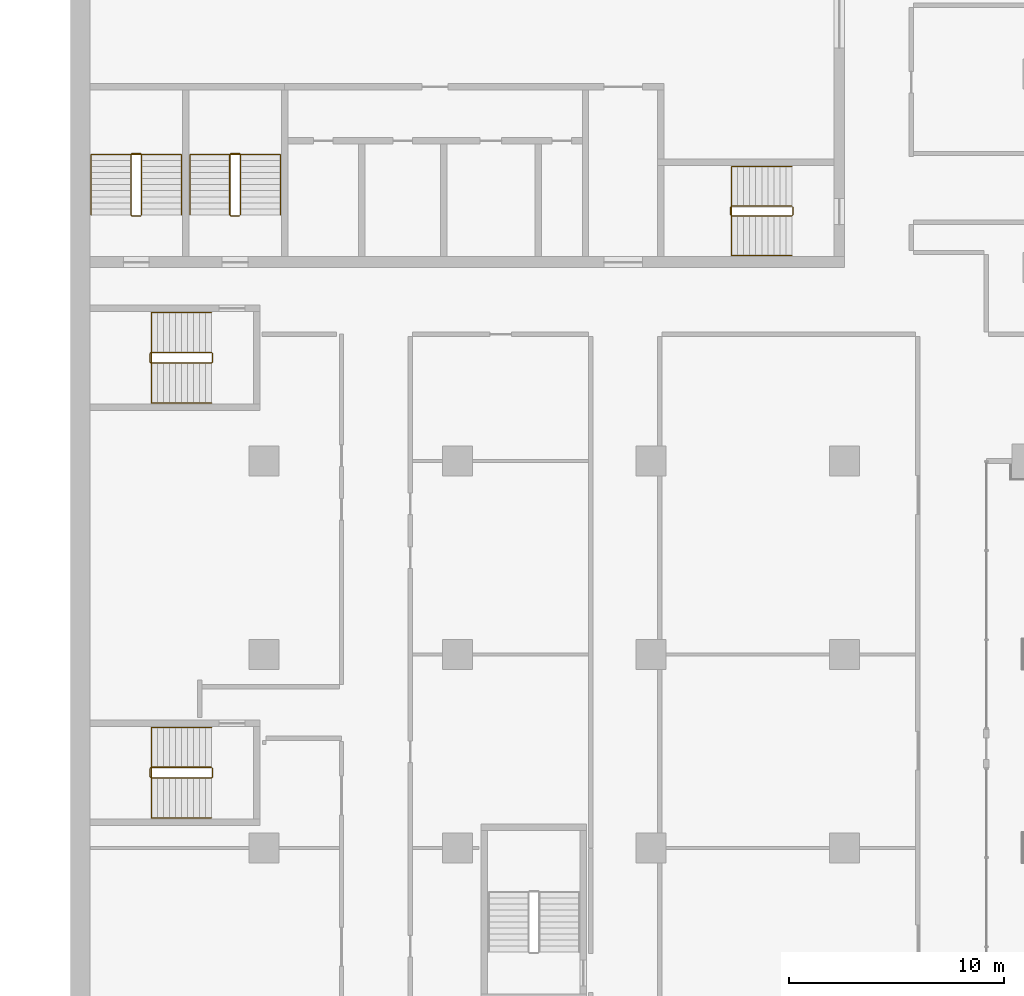
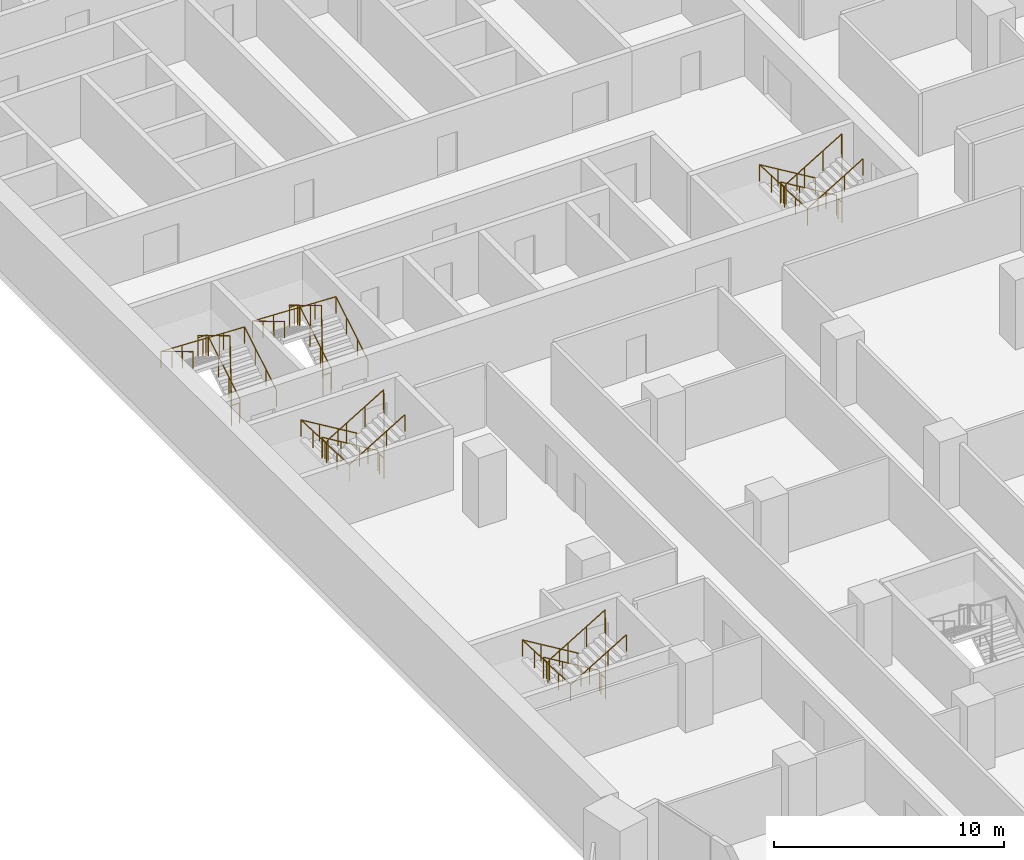
# One storey, part 25 of 28: 10 railings.
"""IFC4 building model written with IfcOpenShell, lengths in metres."""

from ifc_helpers import new_model, si_unit, direction, frame, origin, origin_2d, place, context, subcontext, project, spatial, circle, extrude, material, type_object, element, save


model = new_model("IFC4")

# Units and contexts
model_context = context("Model", 3, precision=1e-05, world=origin(), true_north=direction((0.0, 1.0)))
body_context = subcontext(model_context, "Body", "Model", "MODEL_VIEW")
ifc_project = project(units=[si_unit("LENGTHUNIT", "METRE"), si_unit("AREAUNIT", "SQUARE_METRE"), si_unit("VOLUMEUNIT", "CUBIC_METRE"), si_unit("PLANEANGLEUNIT", "RADIAN"), si_unit("MASSUNIT", "GRAM", prefix="KILO")], contexts=[model_context])

# Site, building, storey
site_placement = place(None, origin())
site = spatial("IfcSite", under=ifc_project, at=site_placement, CompositionType="ELEMENT")
building_placement = place(site_placement, origin())
building = spatial("IfcBuilding", under=site, at=building_placement, Name="Hunhe Ridgeline Campus", CompositionType="ELEMENT")
storey_placement = place(building_placement, frame((0.0, 0.0, 72.800048828125)))
storey = spatial("IfcBuildingStorey", under=building, at=storey_placement, Name="L17", CompositionType="ELEMENT", Elevation=72.800048828125)

# Railings
ifc_material_1 = material(Name="Stainless steel balustrade", Category="steel")
railing_type_1 = type_object("IfcRailingType", Name="Stair guard 1100 stainless", PredefinedType="GUARDRAIL", material=ifc_material_1)
railing_1_placement = place(storey_placement, frame((33.550048828125, 65.85009765625, 0.168212890625)))
element("IfcRailing", 1, at=railing_1_placement, inside=storey, type_object=railing_type_1, Name="L17 stair S2 guard", PredefinedType="GUARDRAIL", context=body_context, shape_type="SweptSolid", body=[
    extrude(circle(Radius=0.02392578125, at=origin_2d()), frame((0.0, 0.0, 1.076171875), z_axis=(-0.857275202839, 0.0, 0.514858452973), x_axis=(0.0, -1.0, 0.0)), (0.0, 0.0, 1.0), 3.26611328125),
    extrude(circle(Radius=0.02392578125, at=origin_2d()), frame((-2.800048828125, 0.0, 2.7578125), z_axis=(-0.707106781187, -0.707106781187, 0.0), x_axis=(0.707106781187, -0.707106781187, 0.0)), (0.0, 0.0, 1.0), 0.07080078125),
    extrude(circle(Radius=0.02392578125, at=origin_2d()), frame((-2.85009765625, -0.050048828125, 2.7578125), z_axis=(0.0, -1.0, 0.0), x_axis=(1.0, 0.0, 0.0)), (0.0, 0.0, 1.0), 0.35009765625),
    extrude(circle(Radius=0.02392578125, at=origin_2d()), frame((-2.85009765625, -0.400146484375, 2.7578125), z_axis=(0.274243871929, -0.274243871929, 0.92172696468), x_axis=(0.707106781187, 0.707106781187, 0.0)), (0.0, 0.0, 1.0), 0.1826171875),
    extrude(circle(Radius=0.02392578125, at=origin_2d()), frame((-2.800048828125, -0.4501953125, 2.92578125), z_axis=(0.857242210791, 0.0, 0.514913383045), x_axis=(0.0, 1.0, 0.0)), (0.0, 0.0, 1.0), 3.266357421875),
    extrude(circle(Radius=0.02392578125, at=origin_2d()), frame((0.0, -0.4501953125, 4.60791015625), z_axis=(0.013524414389, 0.013524414389, -0.999817073484), x_axis=(-0.707106781187, 0.707106781187, 0.0)), (0.0, 0.0, 1.0), 3.70068359375),
    extrude(circle(Radius=0.02392578125, at=origin_2d()), frame((0.050048828125, -0.400146484375, 0.90771484375), z_axis=(0.0, 1.0, 0.0), x_axis=(-1.0, 0.0, 0.0)), (0.0, 0.0, 1.0), 0.35009765625),
    extrude(circle(Radius=0.02099609375, at=origin_2d()), origin(), (0.0, 0.0, 1.0), 1.052001953125),
    extrude(circle(Radius=0.02099609375, at=origin_2d()), frame((-0.933349609375, 0.0, 0.560546875)), (0.0, 0.0, 1.0), 1.052001953125),
    extrude(circle(Radius=0.02099609375, at=origin_2d()), frame((-1.86669921875, 0.0, 1.12109375)), (0.0, 0.0, 1.0), 1.052001953125),
    extrude(circle(Radius=0.02099609375, at=origin_2d()), frame((-2.800048828125, 0.0, 1.681640625)), (0.0, 0.0, 1.0), 1.052001953125),
    extrude(circle(Radius=0.02099609375, at=origin_2d()), frame((-2.85009765625, -0.050048828125, 1.681640625)), (0.0, 0.0, 1.0), 1.052001953125),
    extrude(circle(Radius=0.02099609375, at=origin_2d()), frame((-2.85009765625, -0.400146484375, 1.681640625)), (0.0, 0.0, 1.0), 1.052001953125),
    extrude(circle(Radius=0.02099609375, at=origin_2d()), frame((-2.800048828125, -0.4501953125, 1.849853515625)), (0.0, 0.0, 1.0), 1.052001953125),
    extrude(circle(Radius=0.02099609375, at=origin_2d()), frame((-1.86669921875, -0.4501953125, 2.410400390625)), (0.0, 0.0, 1.0), 1.052001953125),
    extrude(circle(Radius=0.02099609375, at=origin_2d()), frame((-0.933349609375, -0.4501953125, 2.97119140625)), (0.0, 0.0, 1.0), 1.052001953125),
    extrude(circle(Radius=0.02099609375, at=origin_2d()), frame((0.0, -0.4501953125, 3.53173828125)), (0.0, 0.0, 1.0), 1.052001953125),
    extrude(circle(Radius=0.02099609375, at=origin_2d()), frame((0.012451171875, -0.437744140625, 2.606689453125)), (0.0, 0.0, 1.0), 1.052001953125),
    extrude(circle(Radius=0.02099609375, at=origin_2d()), frame((0.02490234375, -0.42529296875, 1.681640625)), (0.0, 0.0, 1.0), 1.052001953125),
    extrude(circle(Radius=0.02099609375, at=origin_2d()), frame((0.03759765625, -0.41259765625, 0.7568359375)), (0.0, 0.0, 1.0), 1.052001953125),
    extrude(circle(Radius=0.02099609375, at=origin_2d()), frame((0.050048828125, -0.400146484375, -0.168212890625)), (0.0, 0.0, 1.0), 1.052001953125),
    extrude(circle(Radius=0.02099609375, at=origin_2d()), frame((0.050048828125, -0.050048828125, -0.168212890625)), (0.0, 0.0, 1.0), 1.052001953125),
])
railing_2_placement = place(storey_placement, frame((3.300048828125, 65.449951171875, 0.168212890625)))
element("IfcRailing", 2, at=railing_2_placement, inside=storey, type_object=railing_type_1, Name="L17 stair S3 guard", PredefinedType="GUARDRAIL", context=body_context, shape_type="SweptSolid", body=[
    extrude(circle(Radius=0.02392578125, at=origin_2d()), frame((0.0, 0.0, 1.076171875), z_axis=(0.0, 0.857275202839, 0.514858452973), x_axis=(-1.0, 0.0, 0.0)), (0.0, 0.0, 1.0), 3.26611328125),
    extrude(circle(Radius=0.02392578125, at=origin_2d()), frame((0.0, 2.800048828125, 2.7578125), z_axis=(-0.707106781187, 0.707106781187, 0.0), x_axis=(-0.707106781187, -0.707106781187, 0.0)), (0.0, 0.0, 1.0), 0.07080078125),
    extrude(circle(Radius=0.02392578125, at=origin_2d()), frame((-0.050048828125, 2.85009765625, 2.7578125), z_axis=(-1.0, 0.0, 0.0), x_axis=(0.0, -1.0, 0.0)), (0.0, 0.0, 1.0), 0.39990234375),
    extrude(circle(Radius=0.02392578125, at=origin_2d()), frame((-0.449951171875, 2.85009765625, 2.7578125), z_axis=(-0.274243871929, -0.274243871929, 0.92172696468), x_axis=(0.707106781187, -0.707106781187, 0.0)), (0.0, 0.0, 1.0), 0.1826171875),
    extrude(circle(Radius=0.02392578125, at=origin_2d()), frame((-0.5, 2.800048828125, 2.92578125), z_axis=(0.0, -0.857242210791, 0.514913383045), x_axis=(1.0, 0.0, 0.0)), (0.0, 0.0, 1.0), 3.266357421875),
    extrude(circle(Radius=0.02392578125, at=origin_2d()), frame((-0.5, 0.0, 4.60791015625), z_axis=(0.013524414389, -0.013524414389, -0.999817073484), x_axis=(0.707106781187, 0.707106781187, 0.0)), (0.0, 0.0, 1.0), 3.70068359375),
    extrude(circle(Radius=0.02392578125, at=origin_2d()), frame((-0.449951171875, -0.050048828125, 0.90771484375), z_axis=(1.0, 0.0, 0.0), x_axis=(0.0, 1.0, 0.0)), (0.0, 0.0, 1.0), 0.39990234375),
    extrude(circle(Radius=0.02099609375, at=origin_2d()), origin(), (0.0, 0.0, 1.0), 1.052001953125),
    extrude(circle(Radius=0.02099609375, at=origin_2d()), frame((0.0, 0.933349609375, 0.560546875)), (0.0, 0.0, 1.0), 1.052001953125),
    extrude(circle(Radius=0.02099609375, at=origin_2d()), frame((0.0, 1.86669921875, 1.12109375)), (0.0, 0.0, 1.0), 1.052001953125),
    extrude(circle(Radius=0.02099609375, at=origin_2d()), frame((0.0, 2.800048828125, 1.681640625)), (0.0, 0.0, 1.0), 1.052001953125),
    extrude(circle(Radius=0.02099609375, at=origin_2d()), frame((-0.050048828125, 2.85009765625, 1.681640625)), (0.0, 0.0, 1.0), 1.052001953125),
    extrude(circle(Radius=0.02099609375, at=origin_2d()), frame((-0.449951171875, 2.85009765625, 1.681640625)), (0.0, 0.0, 1.0), 1.052001953125),
    extrude(circle(Radius=0.02099609375, at=origin_2d()), frame((-0.5, 2.800048828125, 1.849853515625)), (0.0, 0.0, 1.0), 1.052001953125),
    extrude(circle(Radius=0.02099609375, at=origin_2d()), frame((-0.5, 1.86669921875, 2.410400390625)), (0.0, 0.0, 1.0), 1.052001953125),
    extrude(circle(Radius=0.02099609375, at=origin_2d()), frame((-0.5, 0.933349609375, 2.97119140625)), (0.0, 0.0, 1.0), 1.052001953125),
    extrude(circle(Radius=0.02099609375, at=origin_2d()), frame((-0.5, 0.0, 3.53173828125)), (0.0, 0.0, 1.0), 1.052001953125),
    extrude(circle(Radius=0.02099609375, at=origin_2d()), frame((-0.487548828125, -0.012451171875, 2.606689453125)), (0.0, 0.0, 1.0), 1.052001953125),
    extrude(circle(Radius=0.02099609375, at=origin_2d()), frame((-0.47509765625, -0.02490234375, 1.681640625)), (0.0, 0.0, 1.0), 1.052001953125),
    extrude(circle(Radius=0.02099609375, at=origin_2d()), frame((-0.46240234375, -0.03759765625, 0.7568359375)), (0.0, 0.0, 1.0), 1.052001953125),
    extrude(circle(Radius=0.02099609375, at=origin_2d()), frame((-0.449951171875, -0.050048828125, -0.168212890625)), (0.0, 0.0, 1.0), 1.052001953125),
    extrude(circle(Radius=0.02099609375, at=origin_2d()), frame((-0.050048828125, -0.050048828125, -0.168212890625)), (0.0, 0.0, 1.0), 1.052001953125),
])
railing_3_placement = place(storey_placement, frame((7.89990234375, 65.449951171875, 0.168212890625)))
element("IfcRailing", 3, at=railing_3_placement, inside=storey, type_object=railing_type_1, Name="L17 stair S4 guard", PredefinedType="GUARDRAIL", context=body_context, shape_type="SweptSolid", body=[
    extrude(circle(Radius=0.02392578125, at=origin_2d()), frame((0.0, 0.0, 1.076171875), z_axis=(0.0, 0.857275202839, 0.514858452973), x_axis=(-1.0, 0.0, 0.0)), (0.0, 0.0, 1.0), 3.26611328125),
    extrude(circle(Radius=0.02392578125, at=origin_2d()), frame((0.0, 2.800048828125, 2.7578125), z_axis=(-0.705375805398, 0.708833529934, 0.0), x_axis=(-0.708833529934, -0.705375805398, 0.0)), (0.0, 0.0, 1.0), 0.070556640625),
    extrude(circle(Radius=0.02392578125, at=origin_2d()), frame((-0.0498046875, 2.85009765625, 2.7578125), z_axis=(-1.0, 0.0, 0.0), x_axis=(0.0, -1.0, 0.0)), (0.0, 0.0, 1.0), 0.400146484375),
    extrude(circle(Radius=0.02392578125, at=origin_2d()), frame((-0.449951171875, 2.85009765625, 2.7578125), z_axis=(-0.274243871929, -0.274243871929, 0.92172696468), x_axis=(0.707106781187, -0.707106781187, 0.0)), (0.0, 0.0, 1.0), 0.1826171875),
    extrude(circle(Radius=0.02392578125, at=origin_2d()), frame((-0.5, 2.800048828125, 2.92578125), z_axis=(0.0, -0.857242210791, 0.514913383045), x_axis=(1.0, 0.0, 0.0)), (0.0, 0.0, 1.0), 3.266357421875),
    extrude(circle(Radius=0.02392578125, at=origin_2d()), frame((-0.5, 0.0, 4.60791015625), z_axis=(0.013524414389, -0.013524414389, -0.999817073484), x_axis=(0.707106781187, 0.707106781187, 0.0)), (0.0, 0.0, 1.0), 3.70068359375),
    extrude(circle(Radius=0.02392578125, at=origin_2d()), frame((-0.449951171875, -0.050048828125, 0.90771484375), z_axis=(1.0, 0.0, 0.0), x_axis=(0.0, 1.0, 0.0)), (0.0, 0.0, 1.0), 0.400146484375),
    extrude(circle(Radius=0.02099609375, at=origin_2d()), origin(), (0.0, 0.0, 1.0), 1.052001953125),
    extrude(circle(Radius=0.02099609375, at=origin_2d()), frame((0.0, 0.933349609375, 0.560546875)), (0.0, 0.0, 1.0), 1.052001953125),
    extrude(circle(Radius=0.02099609375, at=origin_2d()), frame((0.0, 1.86669921875, 1.12109375)), (0.0, 0.0, 1.0), 1.052001953125),
    extrude(circle(Radius=0.02099609375, at=origin_2d()), frame((0.0, 2.800048828125, 1.681640625)), (0.0, 0.0, 1.0), 1.052001953125),
    extrude(circle(Radius=0.02099609375, at=origin_2d()), frame((-0.0498046875, 2.85009765625, 1.681640625)), (0.0, 0.0, 1.0), 1.052001953125),
    extrude(circle(Radius=0.02099609375, at=origin_2d()), frame((-0.449951171875, 2.85009765625, 1.681640625)), (0.0, 0.0, 1.0), 1.052001953125),
    extrude(circle(Radius=0.02099609375, at=origin_2d()), frame((-0.5, 2.800048828125, 1.849853515625)), (0.0, 0.0, 1.0), 1.052001953125),
    extrude(circle(Radius=0.02099609375, at=origin_2d()), frame((-0.5, 1.86669921875, 2.410400390625)), (0.0, 0.0, 1.0), 1.052001953125),
    extrude(circle(Radius=0.02099609375, at=origin_2d()), frame((-0.5, 0.933349609375, 2.97119140625)), (0.0, 0.0, 1.0), 1.052001953125),
    extrude(circle(Radius=0.02099609375, at=origin_2d()), frame((-0.5, 0.0, 3.53173828125)), (0.0, 0.0, 1.0), 1.052001953125),
    extrude(circle(Radius=0.02099609375, at=origin_2d()), frame((-0.487548828125, -0.012451171875, 2.606689453125)), (0.0, 0.0, 1.0), 1.052001953125),
    extrude(circle(Radius=0.02099609375, at=origin_2d()), frame((-0.47509765625, -0.02490234375, 1.681640625)), (0.0, 0.0, 1.0), 1.052001953125),
    extrude(circle(Radius=0.02099609375, at=origin_2d()), frame((-0.46240234375, -0.03759765625, 0.7568359375)), (0.0, 0.0, 1.0), 1.052001953125),
    extrude(circle(Radius=0.02099609375, at=origin_2d()), frame((-0.449951171875, -0.050048828125, -0.168212890625)), (0.0, 0.0, 1.0), 1.052001953125),
    extrude(circle(Radius=0.02099609375, at=origin_2d()), frame((-0.0498046875, -0.050048828125, -0.168212890625)), (0.0, 0.0, 1.0), 1.052001953125),
])
railing_4_placement = place(storey_placement, frame((6.550048828125, 39.75, 0.168212890625)))
element("IfcRailing", 4, at=railing_4_placement, inside=storey, type_object=railing_type_1, Name="L17 stair W1 guard", PredefinedType="GUARDRAIL", context=body_context, shape_type="SweptSolid", body=[
    extrude(circle(Radius=0.02392578125, at=origin_2d()), frame((0.0, 0.0, 1.076171875), z_axis=(-0.857275202839, 0.0, 0.514858452973), x_axis=(0.0, -1.0, 0.0)), (0.0, 0.0, 1.0), 3.26611328125),
    extrude(circle(Radius=0.02392578125, at=origin_2d()), frame((-2.800048828125, 0.0, 2.7578125), z_axis=(-0.707106781187, -0.707106781187, 0.0), x_axis=(0.707106781187, -0.707106781187, 0.0)), (0.0, 0.0, 1.0), 0.07080078125),
    extrude(circle(Radius=0.02392578125, at=origin_2d()), frame((-2.85009765625, -0.050048828125, 2.7578125), z_axis=(0.0, -1.0, 0.0), x_axis=(1.0, 0.0, 0.0)), (0.0, 0.0, 1.0), 0.39990234375),
    extrude(circle(Radius=0.02392578125, at=origin_2d()), frame((-2.85009765625, -0.449951171875, 2.7578125), z_axis=(0.274243871929, -0.274243871929, 0.92172696468), x_axis=(0.707106781187, 0.707106781187, 0.0)), (0.0, 0.0, 1.0), 0.1826171875),
    extrude(circle(Radius=0.02392578125, at=origin_2d()), frame((-2.800048828125, -0.5, 2.92578125), z_axis=(0.857242210791, 0.0, 0.514913383045), x_axis=(0.0, 1.0, 0.0)), (0.0, 0.0, 1.0), 3.266357421875),
    extrude(circle(Radius=0.02392578125, at=origin_2d()), frame((0.0, -0.5, 4.60791015625), z_axis=(0.013524414389, 0.013524414389, -0.999817073484), x_axis=(-0.707106781187, 0.707106781187, 0.0)), (0.0, 0.0, 1.0), 3.70068359375),
    extrude(circle(Radius=0.02392578125, at=origin_2d()), frame((0.050048828125, -0.449951171875, 0.90771484375), z_axis=(0.0, 1.0, 0.0), x_axis=(-1.0, 0.0, 0.0)), (0.0, 0.0, 1.0), 0.39990234375),
    extrude(circle(Radius=0.02099609375, at=origin_2d()), origin(), (0.0, 0.0, 1.0), 1.052001953125),
    extrude(circle(Radius=0.02099609375, at=origin_2d()), frame((-0.933349609375, 0.0, 0.560546875)), (0.0, 0.0, 1.0), 1.052001953125),
    extrude(circle(Radius=0.02099609375, at=origin_2d()), frame((-1.86669921875, 0.0, 1.12109375)), (0.0, 0.0, 1.0), 1.052001953125),
    extrude(circle(Radius=0.02099609375, at=origin_2d()), frame((-2.800048828125, 0.0, 1.681640625)), (0.0, 0.0, 1.0), 1.052001953125),
    extrude(circle(Radius=0.02099609375, at=origin_2d()), frame((-2.85009765625, -0.050048828125, 1.681640625)), (0.0, 0.0, 1.0), 1.052001953125),
    extrude(circle(Radius=0.02099609375, at=origin_2d()), frame((-2.85009765625, -0.449951171875, 1.681640625)), (0.0, 0.0, 1.0), 1.052001953125),
    extrude(circle(Radius=0.02099609375, at=origin_2d()), frame((-2.800048828125, -0.5, 1.849853515625)), (0.0, 0.0, 1.0), 1.052001953125),
    extrude(circle(Radius=0.02099609375, at=origin_2d()), frame((-1.86669921875, -0.5, 2.410400390625)), (0.0, 0.0, 1.0), 1.052001953125),
    extrude(circle(Radius=0.02099609375, at=origin_2d()), frame((-0.933349609375, -0.5, 2.97119140625)), (0.0, 0.0, 1.0), 1.052001953125),
    extrude(circle(Radius=0.02099609375, at=origin_2d()), frame((0.0, -0.5, 3.53173828125)), (0.0, 0.0, 1.0), 1.052001953125),
    extrude(circle(Radius=0.02099609375, at=origin_2d()), frame((0.012451171875, -0.487548828125, 2.606689453125)), (0.0, 0.0, 1.0), 1.052001953125),
    extrude(circle(Radius=0.02099609375, at=origin_2d()), frame((0.02490234375, -0.47509765625, 1.681640625)), (0.0, 0.0, 1.0), 1.052001953125),
    extrude(circle(Radius=0.02099609375, at=origin_2d()), frame((0.03759765625, -0.46240234375, 0.7568359375)), (0.0, 0.0, 1.0), 1.052001953125),
    extrude(circle(Radius=0.02099609375, at=origin_2d()), frame((0.050048828125, -0.449951171875, -0.168212890625)), (0.0, 0.0, 1.0), 1.052001953125),
    extrude(circle(Radius=0.02099609375, at=origin_2d()), frame((0.050048828125, -0.050048828125, -0.168212890625)), (0.0, 0.0, 1.0), 1.052001953125),
])
railing_5_placement = place(storey_placement, frame((6.550048828125, 59.050048828125, 0.168212890625)))
element("IfcRailing", 5, at=railing_5_placement, inside=storey, type_object=railing_type_1, Name="L17 stair W2 guard", PredefinedType="GUARDRAIL", context=body_context, shape_type="SweptSolid", body=[
    extrude(circle(Radius=0.02392578125, at=origin_2d()), frame((0.0, 0.0, 1.076171875), z_axis=(-0.857275202839, 0.0, 0.514858452973), x_axis=(0.0, -1.0, 0.0)), (0.0, 0.0, 1.0), 3.26611328125),
    extrude(circle(Radius=0.02392578125, at=origin_2d()), frame((-2.800048828125, 0.0, 2.7578125), z_axis=(-0.707106781187, -0.707106781187, 0.0), x_axis=(0.707106781187, -0.707106781187, 0.0)), (0.0, 0.0, 1.0), 0.07080078125),
    extrude(circle(Radius=0.02392578125, at=origin_2d()), frame((-2.85009765625, -0.050048828125, 2.7578125), z_axis=(0.0, -1.0, 0.0), x_axis=(1.0, 0.0, 0.0)), (0.0, 0.0, 1.0), 0.39990234375),
    extrude(circle(Radius=0.02392578125, at=origin_2d()), frame((-2.85009765625, -0.449951171875, 2.7578125), z_axis=(0.274243871929, -0.274243871929, 0.92172696468), x_axis=(0.707106781187, 0.707106781187, 0.0)), (0.0, 0.0, 1.0), 0.1826171875),
    extrude(circle(Radius=0.02392578125, at=origin_2d()), frame((-2.800048828125, -0.5, 2.92578125), z_axis=(0.857242210791, 0.0, 0.514913383045), x_axis=(0.0, 1.0, 0.0)), (0.0, 0.0, 1.0), 3.266357421875),
    extrude(circle(Radius=0.02392578125, at=origin_2d()), frame((0.0, -0.5, 4.60791015625), z_axis=(0.013524414389, 0.013524414389, -0.999817073484), x_axis=(-0.707106781187, 0.707106781187, 0.0)), (0.0, 0.0, 1.0), 3.70068359375),
    extrude(circle(Radius=0.02392578125, at=origin_2d()), frame((0.050048828125, -0.449951171875, 0.90771484375), z_axis=(0.0, 1.0, 0.0), x_axis=(-1.0, 0.0, 0.0)), (0.0, 0.0, 1.0), 0.39990234375),
    extrude(circle(Radius=0.02099609375, at=origin_2d()), origin(), (0.0, 0.0, 1.0), 1.052001953125),
    extrude(circle(Radius=0.02099609375, at=origin_2d()), frame((-0.933349609375, 0.0, 0.560546875)), (0.0, 0.0, 1.0), 1.052001953125),
    extrude(circle(Radius=0.02099609375, at=origin_2d()), frame((-1.86669921875, 0.0, 1.12109375)), (0.0, 0.0, 1.0), 1.052001953125),
    extrude(circle(Radius=0.02099609375, at=origin_2d()), frame((-2.800048828125, 0.0, 1.681640625)), (0.0, 0.0, 1.0), 1.052001953125),
    extrude(circle(Radius=0.02099609375, at=origin_2d()), frame((-2.85009765625, -0.050048828125, 1.681640625)), (0.0, 0.0, 1.0), 1.052001953125),
    extrude(circle(Radius=0.02099609375, at=origin_2d()), frame((-2.85009765625, -0.449951171875, 1.681640625)), (0.0, 0.0, 1.0), 1.052001953125),
    extrude(circle(Radius=0.02099609375, at=origin_2d()), frame((-2.800048828125, -0.5, 1.849853515625)), (0.0, 0.0, 1.0), 1.052001953125),
    extrude(circle(Radius=0.02099609375, at=origin_2d()), frame((-1.86669921875, -0.5, 2.410400390625)), (0.0, 0.0, 1.0), 1.052001953125),
    extrude(circle(Radius=0.02099609375, at=origin_2d()), frame((-0.933349609375, -0.5, 2.97119140625)), (0.0, 0.0, 1.0), 1.052001953125),
    extrude(circle(Radius=0.02099609375, at=origin_2d()), frame((0.0, -0.5, 3.53173828125)), (0.0, 0.0, 1.0), 1.052001953125),
    extrude(circle(Radius=0.02099609375, at=origin_2d()), frame((0.012451171875, -0.487548828125, 2.606689453125)), (0.0, 0.0, 1.0), 1.052001953125),
    extrude(circle(Radius=0.02099609375, at=origin_2d()), frame((0.02490234375, -0.47509765625, 1.681640625)), (0.0, 0.0, 1.0), 1.052001953125),
    extrude(circle(Radius=0.02099609375, at=origin_2d()), frame((0.03759765625, -0.46240234375, 0.7568359375)), (0.0, 0.0, 1.0), 1.052001953125),
    extrude(circle(Radius=0.02099609375, at=origin_2d()), frame((0.050048828125, -0.449951171875, -0.168212890625)), (0.0, 0.0, 1.0), 1.052001953125),
    extrude(circle(Radius=0.02099609375, at=origin_2d()), frame((0.050048828125, -0.050048828125, -0.168212890625)), (0.0, 0.0, 1.0), 1.052001953125),
])
ifc_material_2 = material(Name="Stainless steel handrail", Category="steel")
railing_type_2 = type_object("IfcRailingType", Name="Stair handrail 900 stainless", PredefinedType="HANDRAIL", material=ifc_material_2)
railing_6_placement = place(storey_placement, frame((33.550048828125, 67.699951171875, 0.168212890625)))
element("IfcRailing", 6, at=railing_6_placement, inside=storey, type_object=railing_type_2, Name="L17 stair S2 handrail", PredefinedType="HANDRAIL", context=body_context, shape_type="SweptSolid", body=[
    extrude(circle(Radius=0.02392578125, at=origin_2d()), frame((0.0, 0.0, 0.8759765625), z_axis=(-0.857275202839, 0.0, 0.514858452973), x_axis=(0.0, -1.0, 0.0)), (0.0, 0.0, 1.0), 3.26611328125),
    extrude(circle(Radius=0.02392578125, at=origin_2d()), frame((-2.800048828125, 0.0, 2.5576171875), z_axis=(0.0, -0.99917950104, 0.040500922239), x_axis=(1.0, 0.0, 0.0)), (0.0, 0.0, 1.0), 4.1533203125),
    extrude(circle(Radius=0.02392578125, at=origin_2d()), frame((-2.800048828125, -4.14990234375, 2.7255859375), z_axis=(0.857242210791, 0.0, 0.514913383045), x_axis=(0.0, 1.0, 0.0)), (0.0, 0.0, 1.0), 3.266357421875),
    extrude(circle(Radius=0.02099609375, at=origin_2d()), origin(), (0.0, 0.0, 1.0), 0.851806640625),
    extrude(circle(Radius=0.02099609375, at=origin_2d()), frame((-0.933349609375, 0.0, 0.560546875)), (0.0, 0.0, 1.0), 0.851806640625),
    extrude(circle(Radius=0.02099609375, at=origin_2d()), frame((-1.86669921875, 0.0, 1.12109375)), (0.0, 0.0, 1.0), 0.851806640625),
    extrude(circle(Radius=0.02099609375, at=origin_2d()), frame((-2.800048828125, 0.0, 1.681640625)), (0.0, 0.0, 1.0), 0.851806640625),
    extrude(circle(Radius=0.02099609375, at=origin_2d()), frame((-2.800048828125, -1.03759765625, 1.7236328125)), (0.0, 0.0, 1.0), 0.851806640625),
    extrude(circle(Radius=0.02099609375, at=origin_2d()), frame((-2.800048828125, -2.074951171875, 1.765625)), (0.0, 0.0, 1.0), 0.851806640625),
    extrude(circle(Radius=0.02099609375, at=origin_2d()), frame((-2.800048828125, -3.1123046875, 1.807861328125)), (0.0, 0.0, 1.0), 0.851806640625),
    extrude(circle(Radius=0.02099609375, at=origin_2d()), frame((-2.800048828125, -4.14990234375, 1.849853515625)), (0.0, 0.0, 1.0), 0.851806640625),
    extrude(circle(Radius=0.02099609375, at=origin_2d()), frame((-1.86669921875, -4.14990234375, 2.410400390625)), (0.0, 0.0, 1.0), 0.851806640625),
    extrude(circle(Radius=0.02099609375, at=origin_2d()), frame((-0.933349609375, -4.14990234375, 2.97119140625)), (0.0, 0.0, 1.0), 0.851806640625),
    extrude(circle(Radius=0.02099609375, at=origin_2d()), frame((0.0, -4.14990234375, 3.53173828125)), (0.0, 0.0, 1.0), 0.851806640625),
])
railing_7_placement = place(storey_placement, frame((5.14990234375, 65.449951171875, 0.168212890625)))
element("IfcRailing", 7, at=railing_7_placement, inside=storey, type_object=railing_type_2, Name="L17 stair S3 handrail", PredefinedType="HANDRAIL", context=body_context, shape_type="SweptSolid", body=[
    extrude(circle(Radius=0.02392578125, at=origin_2d()), frame((0.0, 0.0, 0.8759765625), z_axis=(0.0, 0.857275202839, 0.514858452973), x_axis=(-1.0, 0.0, 0.0)), (0.0, 0.0, 1.0), 3.26611328125),
    extrude(circle(Radius=0.02392578125, at=origin_2d()), frame((0.0, 2.800048828125, 2.5576171875), z_axis=(-0.999198916169, 0.0, 0.040019069537), x_axis=(0.0, -1.0, 0.0)), (0.0, 0.0, 1.0), 4.203369140625),
    extrude(circle(Radius=0.02392578125, at=origin_2d()), frame((-4.199951171875, 2.800048828125, 2.7255859375), z_axis=(0.0, -0.857242210791, 0.514913383045), x_axis=(1.0, 0.0, 0.0)), (0.0, 0.0, 1.0), 3.266357421875),
    extrude(circle(Radius=0.02099609375, at=origin_2d()), origin(), (0.0, 0.0, 1.0), 0.851806640625),
    extrude(circle(Radius=0.02099609375, at=origin_2d()), frame((0.0, 0.933349609375, 0.560546875)), (0.0, 0.0, 1.0), 0.851806640625),
    extrude(circle(Radius=0.02099609375, at=origin_2d()), frame((0.0, 1.86669921875, 1.12109375)), (0.0, 0.0, 1.0), 0.851806640625),
    extrude(circle(Radius=0.02099609375, at=origin_2d()), frame((0.0, 2.800048828125, 1.681640625)), (0.0, 0.0, 1.0), 0.851806640625),
    extrude(circle(Radius=0.02099609375, at=origin_2d()), frame((-1.050048828125, 2.800048828125, 1.7236328125)), (0.0, 0.0, 1.0), 0.851806640625),
    extrude(circle(Radius=0.02099609375, at=origin_2d()), frame((-2.10009765625, 2.800048828125, 1.765625)), (0.0, 0.0, 1.0), 0.851806640625),
    extrude(circle(Radius=0.02099609375, at=origin_2d()), frame((-3.14990234375, 2.800048828125, 1.807861328125)), (0.0, 0.0, 1.0), 0.851806640625),
    extrude(circle(Radius=0.02099609375, at=origin_2d()), frame((-4.199951171875, 2.800048828125, 1.849853515625)), (0.0, 0.0, 1.0), 0.851806640625),
    extrude(circle(Radius=0.02099609375, at=origin_2d()), frame((-4.199951171875, 1.86669921875, 2.410400390625)), (0.0, 0.0, 1.0), 0.851806640625),
    extrude(circle(Radius=0.02099609375, at=origin_2d()), frame((-4.199951171875, 0.933349609375, 2.97119140625)), (0.0, 0.0, 1.0), 0.851806640625),
    extrude(circle(Radius=0.02099609375, at=origin_2d()), frame((-4.199951171875, 0.0, 3.53173828125)), (0.0, 0.0, 1.0), 0.851806640625),
])
railing_8_placement = place(storey_placement, frame((9.75, 65.449951171875, 0.168212890625)))
element("IfcRailing", 8, at=railing_8_placement, inside=storey, type_object=railing_type_2, Name="L17 stair S4 handrail", PredefinedType="HANDRAIL", context=body_context, shape_type="SweptSolid", body=[
    extrude(circle(Radius=0.02392578125, at=origin_2d()), frame((0.0, 0.0, 0.8759765625), z_axis=(0.0, 0.857275202839, 0.514858452973), x_axis=(-1.0, 0.0, 0.0)), (0.0, 0.0, 1.0), 3.26611328125),
    extrude(circle(Radius=0.02392578125, at=origin_2d()), frame((0.0, 2.800048828125, 2.5576171875), z_axis=(-0.999198916169, 0.0, 0.040019069537), x_axis=(0.0, -1.0, 0.0)), (0.0, 0.0, 1.0), 4.203369140625),
    extrude(circle(Radius=0.02392578125, at=origin_2d()), frame((-4.199951171875, 2.800048828125, 2.7255859375), z_axis=(0.0, -0.857242210791, 0.514913383045), x_axis=(1.0, 0.0, 0.0)), (0.0, 0.0, 1.0), 3.266357421875),
    extrude(circle(Radius=0.02099609375, at=origin_2d()), origin(), (0.0, 0.0, 1.0), 0.851806640625),
    extrude(circle(Radius=0.02099609375, at=origin_2d()), frame((0.0, 0.933349609375, 0.560546875)), (0.0, 0.0, 1.0), 0.851806640625),
    extrude(circle(Radius=0.02099609375, at=origin_2d()), frame((0.0, 1.86669921875, 1.12109375)), (0.0, 0.0, 1.0), 0.851806640625),
    extrude(circle(Radius=0.02099609375, at=origin_2d()), frame((0.0, 2.800048828125, 1.681640625)), (0.0, 0.0, 1.0), 0.851806640625),
    extrude(circle(Radius=0.02099609375, at=origin_2d()), frame((-1.050048828125, 2.800048828125, 1.7236328125)), (0.0, 0.0, 1.0), 0.851806640625),
    extrude(circle(Radius=0.02099609375, at=origin_2d()), frame((-2.10009765625, 2.800048828125, 1.765625)), (0.0, 0.0, 1.0), 0.851806640625),
    extrude(circle(Radius=0.02099609375, at=origin_2d()), frame((-3.14990234375, 2.800048828125, 1.807861328125)), (0.0, 0.0, 1.0), 0.851806640625),
    extrude(circle(Radius=0.02099609375, at=origin_2d()), frame((-4.199951171875, 2.800048828125, 1.849853515625)), (0.0, 0.0, 1.0), 0.851806640625),
    extrude(circle(Radius=0.02099609375, at=origin_2d()), frame((-4.199951171875, 1.86669921875, 2.410400390625)), (0.0, 0.0, 1.0), 0.851806640625),
    extrude(circle(Radius=0.02099609375, at=origin_2d()), frame((-4.199951171875, 0.933349609375, 2.97119140625)), (0.0, 0.0, 1.0), 0.851806640625),
    extrude(circle(Radius=0.02099609375, at=origin_2d()), frame((-4.199951171875, 0.0, 3.53173828125)), (0.0, 0.0, 1.0), 0.851806640625),
])
railing_9_placement = place(storey_placement, frame((6.550048828125, 41.60009765625, 0.168212890625)))
element("IfcRailing", 9, at=railing_9_placement, inside=storey, type_object=railing_type_2, Name="L17 stair W1 handrail", PredefinedType="HANDRAIL", context=body_context, shape_type="SweptSolid", body=[
    extrude(circle(Radius=0.02392578125, at=origin_2d()), frame((0.0, 0.0, 0.8759765625), z_axis=(-0.857275202839, 0.0, 0.514858452973), x_axis=(0.0, -1.0, 0.0)), (0.0, 0.0, 1.0), 3.26611328125),
    extrude(circle(Radius=0.02392578125, at=origin_2d()), frame((-2.800048828125, 0.0, 2.5576171875), z_axis=(0.0, -0.999199009182, 0.040016747113), x_axis=(1.0, 0.0, 0.0)), (0.0, 0.0, 1.0), 4.20361328125),
    extrude(circle(Radius=0.02392578125, at=origin_2d()), frame((-2.800048828125, -4.2001953125, 2.7255859375), z_axis=(0.857242210791, 0.0, 0.514913383045), x_axis=(0.0, 1.0, 0.0)), (0.0, 0.0, 1.0), 3.266357421875),
    extrude(circle(Radius=0.02099609375, at=origin_2d()), origin(), (0.0, 0.0, 1.0), 0.851806640625),
    extrude(circle(Radius=0.02099609375, at=origin_2d()), frame((-0.933349609375, 0.0, 0.560546875)), (0.0, 0.0, 1.0), 0.851806640625),
    extrude(circle(Radius=0.02099609375, at=origin_2d()), frame((-1.86669921875, 0.0, 1.12109375)), (0.0, 0.0, 1.0), 0.851806640625),
    extrude(circle(Radius=0.02099609375, at=origin_2d()), frame((-2.800048828125, 0.0, 1.681640625)), (0.0, 0.0, 1.0), 0.851806640625),
    extrude(circle(Radius=0.02099609375, at=origin_2d()), frame((-2.800048828125, -1.050048828125, 1.7236328125)), (0.0, 0.0, 1.0), 0.851806640625),
    extrude(circle(Radius=0.02099609375, at=origin_2d()), frame((-2.800048828125, -2.10009765625, 1.765625)), (0.0, 0.0, 1.0), 0.851806640625),
    extrude(circle(Radius=0.02099609375, at=origin_2d()), frame((-2.800048828125, -3.150146484375, 1.807861328125)), (0.0, 0.0, 1.0), 0.851806640625),
    extrude(circle(Radius=0.02099609375, at=origin_2d()), frame((-2.800048828125, -4.2001953125, 1.849853515625)), (0.0, 0.0, 1.0), 0.851806640625),
    extrude(circle(Radius=0.02099609375, at=origin_2d()), frame((-1.86669921875, -4.2001953125, 2.410400390625)), (0.0, 0.0, 1.0), 0.851806640625),
    extrude(circle(Radius=0.02099609375, at=origin_2d()), frame((-0.933349609375, -4.2001953125, 2.97119140625)), (0.0, 0.0, 1.0), 0.851806640625),
    extrude(circle(Radius=0.02099609375, at=origin_2d()), frame((0.0, -4.2001953125, 3.53173828125)), (0.0, 0.0, 1.0), 0.851806640625),
])
railing_10_placement = place(storey_placement, frame((6.550048828125, 60.89990234375, 0.168212890625)))
element("IfcRailing", 10, at=railing_10_placement, inside=storey, type_object=railing_type_2, Name="L17 stair W2 handrail", PredefinedType="HANDRAIL", context=body_context, shape_type="SweptSolid", body=[
    extrude(circle(Radius=0.02392578125, at=origin_2d()), frame((0.0, 0.0, 0.8759765625), z_axis=(-0.857275202839, 0.0, 0.514858452973), x_axis=(0.0, -1.0, 0.0)), (0.0, 0.0, 1.0), 3.26611328125),
    extrude(circle(Radius=0.02392578125, at=origin_2d()), frame((-2.800048828125, 0.0, 2.5576171875), z_axis=(0.0, -0.999198916169, 0.040019069537), x_axis=(1.0, 0.0, 0.0)), (0.0, 0.0, 1.0), 4.203369140625),
    extrude(circle(Radius=0.02392578125, at=origin_2d()), frame((-2.800048828125, -4.199951171875, 2.7255859375), z_axis=(0.857242210791, 0.0, 0.514913383045), x_axis=(0.0, 1.0, 0.0)), (0.0, 0.0, 1.0), 3.266357421875),
    extrude(circle(Radius=0.02099609375, at=origin_2d()), origin(), (0.0, 0.0, 1.0), 0.851806640625),
    extrude(circle(Radius=0.02099609375, at=origin_2d()), frame((-0.933349609375, 0.0, 0.560546875)), (0.0, 0.0, 1.0), 0.851806640625),
    extrude(circle(Radius=0.02099609375, at=origin_2d()), frame((-1.86669921875, 0.0, 1.12109375)), (0.0, 0.0, 1.0), 0.851806640625),
    extrude(circle(Radius=0.02099609375, at=origin_2d()), frame((-2.800048828125, 0.0, 1.681640625)), (0.0, 0.0, 1.0), 0.851806640625),
    extrude(circle(Radius=0.02099609375, at=origin_2d()), frame((-2.800048828125, -1.050048828125, 1.7236328125)), (0.0, 0.0, 1.0), 0.851806640625),
    extrude(circle(Radius=0.02099609375, at=origin_2d()), frame((-2.800048828125, -2.10009765625, 1.765625)), (0.0, 0.0, 1.0), 0.851806640625),
    extrude(circle(Radius=0.02099609375, at=origin_2d()), frame((-2.800048828125, -3.14990234375, 1.807861328125)), (0.0, 0.0, 1.0), 0.851806640625),
    extrude(circle(Radius=0.02099609375, at=origin_2d()), frame((-2.800048828125, -4.199951171875, 1.849853515625)), (0.0, 0.0, 1.0), 0.851806640625),
    extrude(circle(Radius=0.02099609375, at=origin_2d()), frame((-1.86669921875, -4.199951171875, 2.410400390625)), (0.0, 0.0, 1.0), 0.851806640625),
    extrude(circle(Radius=0.02099609375, at=origin_2d()), frame((-0.933349609375, -4.199951171875, 2.97119140625)), (0.0, 0.0, 1.0), 0.851806640625),
    extrude(circle(Radius=0.02099609375, at=origin_2d()), frame((0.0, -4.199951171875, 3.53173828125)), (0.0, 0.0, 1.0), 0.851806640625),
])

save(model, "model.ifc")
